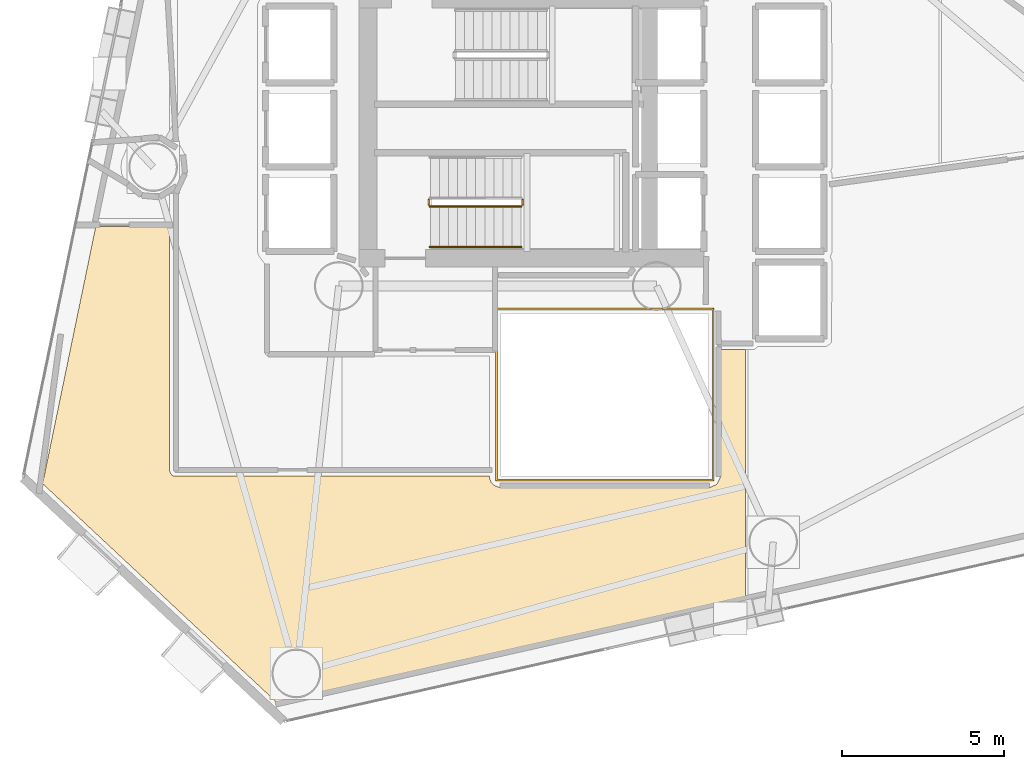
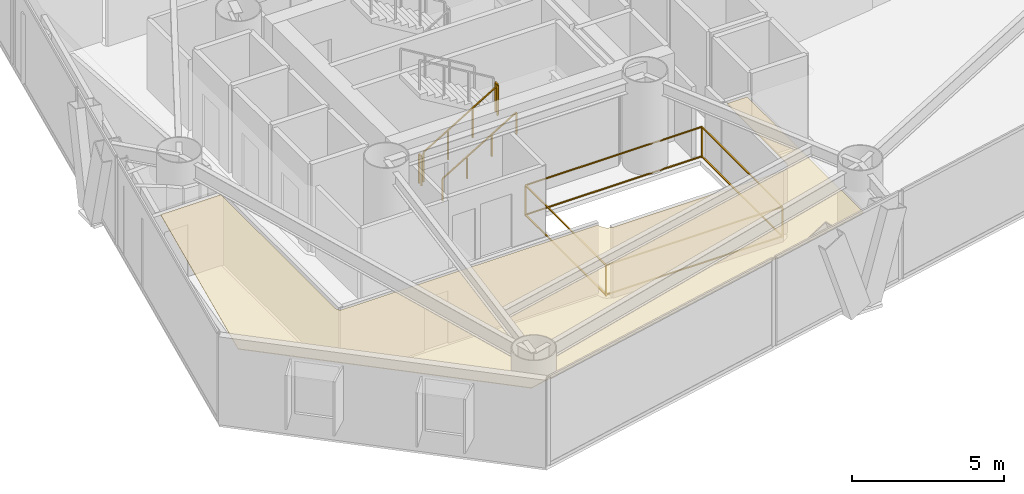
# One storey, part 16 of 18: 5 railings, 1 covering.
"""IFC4 building model written with IfcOpenShell, lengths in metres."""

import ifcopenshell
import ifcopenshell.guid

model = None  # the IFC model being written
_history = None  # IfcOwnerHistory: only IFC2X3 demands one
_inside = {}  # id of a spatial element -> (the spatial element, [elements in it])
_under = {}  # id of a project, library or spatial element -> (it, [spatial elements below it])
_declared = {}  # id of a project -> (the project, [libraries it declares])
_typed = {}  # id of a type object -> (the type object, [elements of that type])
_made_of = {}  # id of a material, layer set ... -> (it, [elements and type objects made of it])


def new_model(schema):
    """Start an empty IFC model of exactly this schema.

    Asked for "IFC4X3", IfcOpenShell would pick the latest addendum, in which some entities
    have other attributes; the version numbers below select the first issue.
    IFC2X3 requires an IfcOwnerHistory on every rooted entity: one is made here for all.
    """
    global model, _history
    if schema == "IFC4X3":
        model = ifcopenshell.file(schema_version=(4, 3, 0, 0))
    else:
        model = ifcopenshell.file(schema=schema)
    _inside.clear()
    _under.clear()
    _declared.clear()
    _typed.clear()
    _made_of.clear()
    _history = None
    if model.schema == "IFC2X3":
        org = make("IfcOrganization", Name="unknown")
        user = make(
            "IfcPersonAndOrganization",
            ThePerson=make("IfcPerson", FamilyName="unknown"),
            TheOrganization=org,
        )
        app = make(
            "IfcApplication",
            ApplicationDeveloper=org,
            Version="unknown",
            ApplicationFullName="unknown",
            ApplicationIdentifier="unknown",
        )
        _history = make(
            "IfcOwnerHistory",
            OwningUser=user,
            OwningApplication=app,
            ChangeAction="ADDED",
            CreationDate=0,
        )
    return model


def make(cls, **values):
    """One entity of the class cls with the attributes given. An attribute that is None is left unset."""
    return model.create_entity(
        cls, **{name: value for name, value in values.items() if value is not None}
    )


def rooted(cls, **values):
    """An entity with a GlobalId (a new one), such as an element, a storey or a relation."""
    return make(cls, GlobalId=ifcopenshell.guid.new(), OwnerHistory=_history, **values)


def si_unit(unit_type, name, prefix=None):
    """IfcSIUnit, for example si_unit("LENGTHUNIT", "METRE", prefix="MILLI")."""
    return make("IfcSIUnit", UnitType=unit_type, Prefix=prefix, Name=name)


def assignment(units):
    """IfcUnitAssignment: the units of a project."""
    return None if units is None else make("IfcUnitAssignment", Units=units)


def point(xyz):
    """IfcCartesianPoint."""
    return None if xyz is None else make("IfcCartesianPoint", Coordinates=xyz)


def direction(xyz):
    """IfcDirection."""
    return None if xyz is None else make("IfcDirection", DirectionRatios=xyz)


def frame(location, z_axis=None, x_axis=None):
    """IfcAxis2Placement3D, a coordinate frame: its origin and axes. An axis left out is left unset."""
    return make(
        "IfcAxis2Placement3D",
        Location=point(location),
        Axis=direction(z_axis),
        RefDirection=direction(x_axis),
    )


def frame_2d(location, x_axis=None):
    """IfcAxis2Placement2D, a coordinate frame in the plane: its origin and x axis."""
    return make(
        "IfcAxis2Placement2D", Location=point(location), RefDirection=direction(x_axis)
    )


def origin():
    """The frame at (0, 0, 0) with its axes left unset."""
    return frame((0.0, 0.0, 0.0))


def origin_2d():
    """The frame at (0, 0) in the plane with its x axis left unset."""
    return frame_2d((0.0, 0.0))


def place(relative_to, where):
    """IfcLocalPlacement: puts the frame where relative to a parent placement (None: the world)."""
    return make(
        "IfcLocalPlacement", PlacementRelTo=relative_to, RelativePlacement=where
    )


def context(
    kind, dimensions, precision=None, world=None, true_north=None, identifier=None
):
    """IfcGeometricRepresentationContext, for example the 3D "Model" context."""
    return make(
        "IfcGeometricRepresentationContext",
        ContextIdentifier=identifier,
        ContextType=kind,
        CoordinateSpaceDimension=dimensions,
        Precision=precision,
        WorldCoordinateSystem=world,
        TrueNorth=true_north,
    )


def subcontext(parent, identifier, kind, view, scale=None):
    """IfcGeometricRepresentationSubContext, for example "Body" below "Model"."""
    return make(
        "IfcGeometricRepresentationSubContext",
        ContextIdentifier=identifier,
        ContextType=kind,
        ParentContext=parent,
        TargetScale=scale,
        TargetView=view,
    )


def project(units=None, contexts=None):
    """IfcProject with its units and contexts."""
    return rooted(
        "IfcProject",
        Name="project",
        RepresentationContexts=contexts,
        UnitsInContext=assignment(units),
    )


def spatial(cls, under=None, at=None, **own):
    """A site, building, storey or space (cls), placed at a placement, below another one or the project."""
    s = rooted(cls, ObjectPlacement=at, **own)
    if under is not None:
        _under.setdefault(under.id(), (under, []))[1].append(s)
    return s


def polyline(points):
    """IfcPolyline through the points."""
    return make("IfcPolyline", Points=[point(p) for p in points])


def profile(cls, at=None, kind="AREA", **sizes):
    """A parametric profile (cls). Its sizes go by their IFC names, for example OverallWidth=200.0."""
    return make(cls, ProfileType=kind, Position=at, **sizes)


def rectangle(**sizes):
    """IfcRectangleProfileDef."""
    return profile("IfcRectangleProfileDef", **sizes)


def outline(outer, holes=None, kind="AREA"):
    """IfcArbitraryClosedProfileDef: a profile drawn as a closed curve; with holes, ...WithVoids."""
    if holes is None:
        return make("IfcArbitraryClosedProfileDef", ProfileType=kind, OuterCurve=outer)
    return make(
        "IfcArbitraryProfileDefWithVoids",
        ProfileType=kind,
        OuterCurve=outer,
        InnerCurves=holes,
    )


def extrude(swept, where, along, depth):
    """IfcExtrudedAreaSolid: the profile swept, set in the frame where, extruded along a direction by depth."""
    return make(
        "IfcExtrudedAreaSolid",
        SweptArea=swept,
        Position=where,
        ExtrudedDirection=direction(along),
        Depth=depth,
    )


def shape(context_of_items, identifier, shape_type, items):
    """IfcShapeRepresentation: the items that make up one representation, for example the "Body"."""
    return make(
        "IfcShapeRepresentation",
        ContextOfItems=context_of_items,
        RepresentationIdentifier=identifier,
        RepresentationType=shape_type,
        Items=items,
    )


def material(Name=None, Category=None):
    """IfcMaterial."""
    return make("IfcMaterial", Name=Name, Category=Category)


def layer(
    of_material, thickness, ventilated=None, Name=None, Category=None, Priority=None
):
    """IfcMaterialLayer: one layer of a wall or slab, of a material (None: an air gap)."""
    return make(
        "IfcMaterialLayer",
        Material=of_material,
        LayerThickness=thickness,
        IsVentilated=ventilated,
        Name=Name,
        Category=Category,
        Priority=Priority,
    )


def layer_set(layers, Name=None):
    """IfcMaterialLayerSet."""
    return make("IfcMaterialLayerSet", MaterialLayers=layers, LayerSetName=Name)


def made_of(thing, what):
    """Note that an element or type object is made of a material, layer set ...; save() writes the relation."""
    if what is not None:
        _made_of.setdefault(what.id(), (what, []))[1].append(thing)
    return thing


def type_object(cls, material=None, **own):
    """A type object (cls), such as IfcWallType, which elements share."""
    return made_of(rooted(cls, **own), material)


def element(
    cls,
    number,
    at=None,
    inside=None,
    cuts=None,
    type_object=None,
    material=None,
    context=None,
    identifier="Body",
    shape_type=None,
    held_by="IfcProductDefinitionShape",
    body=None,
    shapes=None,
    **own,
):
    """One element of the class cls, such as IfcWall. Its Tag is "e" and its number.

    at: its placement. inside: the storey or other place that contains it. cuts: it is an
    opening in that element (IfcRelVoidsElement). A single representation is given by context,
    identifier, shape_type and body (its items); several are given by shapes. held_by: the class
    of the entity that holds the representations. save() writes the other relations.
    """
    e = rooted(cls, Tag="e%d" % number, ObjectPlacement=at, **own)
    if body is not None:
        shapes = [shape(context, identifier, shape_type, body)]
    if shapes is not None:
        e.Representation = make(held_by, Representations=shapes)
    if inside is not None:
        _inside.setdefault(inside.id(), (inside, []))[1].append(e)
    if cuts is not None:
        rooted(
            "IfcRelVoidsElement", RelatingBuildingElement=cuts, RelatedOpeningElement=e
        )
    if type_object is not None:
        _typed.setdefault(type_object.id(), (type_object, []))[1].append(e)
    return made_of(e, material)


def aggregate(whole, parts):
    """IfcRelAggregates: a whole, such as a stair, and the parts it consists of."""
    return rooted("IfcRelAggregates", RelatingObject=whole, RelatedObjects=parts)


def save(model, path):
    """Write the relations noted so far, then the file.

    IfcRelAggregates (storeys below a building ...), IfcRelContainedInSpatialStructure (elements
    in a storey), IfcRelDefinesByType, IfcRelAssociatesMaterial and IfcRelDeclares: one each for
    every whole, place, type object, material and project.
    """
    for whole, parts in _under.values():
        aggregate(whole, parts)
    for where, things in _inside.values():
        rooted(
            "IfcRelContainedInSpatialStructure",
            RelatedElements=things,
            RelatingStructure=where,
        )
    for kind, things in _typed.values():
        rooted("IfcRelDefinesByType", RelatedObjects=things, RelatingType=kind)
    for what, things in _made_of.values():
        rooted("IfcRelAssociatesMaterial", RelatedObjects=things, RelatingMaterial=what)
    for by, libraries in _declared.values():
        rooted("IfcRelDeclares", RelatingContext=by, RelatedDefinitions=libraries)
    model.write(path)


model = new_model("IFC4")

# Units and contexts
model_context = context("Model", 3, precision=1e-05, world=origin(), true_north=direction((0.0, 1.0)))
body_context = subcontext(model_context, "Body", "Model", "MODEL_VIEW")
ifc_project = project(units=[si_unit("LENGTHUNIT", "METRE"), si_unit("AREAUNIT", "SQUARE_METRE"), si_unit("VOLUMEUNIT", "CUBIC_METRE"), si_unit("PLANEANGLEUNIT", "RADIAN"), si_unit("MASSUNIT", "GRAM", prefix="KILO")], contexts=[model_context])

# Site, building, storey
site_placement = place(None, origin())
site = spatial("IfcSite", under=ifc_project, at=site_placement, CompositionType="ELEMENT")
building_placement = place(site_placement, origin())
building = spatial("IfcBuilding", under=site, at=building_placement, Name="Qianvela Tower", CompositionType="ELEMENT")
storey_placement = place(building_placement, frame((0.0, 0.0, 97.800048828125)))
storey = spatial("IfcBuildingStorey", under=building, at=storey_placement, Name="L24", CompositionType="ELEMENT", Elevation=97.800048828125)

# Covering
ifc_material_1 = material(Name="Perforated Mineral Acoustic Ceiling Tile")
ifc_layer = layer(ifc_material_1, 0.02490234375)
ifc_layer_set = layer_set([ifc_layer], Name="Perforated Mineral Acoustic Ceiling Tile")
covering_type = type_object("IfcCoveringType", Name="COV-CEIL-ACOUSTIC-25", PredefinedType="CEILING", material=ifc_layer_set)
covering_placement = place(storey_placement, frame((0.0, 0.0, 2.81494140625)))
element("IfcCovering", 1, at=covering_placement, inside=storey, type_object=covering_type, Name="L24 Acoustic Ceiling Bay 1 Shared Communal Kitchen L24-01", PredefinedType="CEILING", context=body_context, shape_type="SweptSolid", body=[
    extrude(outline(polyline([(26.683837890625, 11.017578125), (19.4716796875, 17.758544921875), (21.110107421875, 25.684326171875), (23.389892578125, 25.684326171875), (23.389892578125, 18.14990234375), (23.390380859375, 18.14208984375), (23.3916015625, 18.134521484375), (23.393310546875, 18.126708984375), (23.39599609375, 18.119384765625), (23.3994140625, 18.1123046875), (23.403564453125, 18.105712890625), (23.452880859375, 18.031494140625), (23.45751953125, 18.025390625), (23.462890625, 18.01953125), (23.468505859375, 18.014404296875), (23.474853515625, 18.009521484375), (23.481689453125, 18.005615234375), (23.48876953125, 18.002197265625), (23.49609375, 17.99951171875), (23.503662109375, 17.99755859375), (23.511474609375, 17.99658203125), (23.519287109375, 17.99609375), (33.243408203125, 17.989990234375), (33.24560546875, 17.94189453125), (33.24609375, 17.93505859375), (33.247314453125, 17.927978515625), (33.2490234375, 17.92138671875), (33.25146484375, 17.914794921875), (33.293212890625, 17.813720703125), (33.296630859375, 17.806640625), (33.30078125, 17.800048828125), (33.305419921875, 17.793701171875), (33.310546875, 17.787841796875), (33.387939453125, 17.710693359375), (33.39306640625, 17.705810546875), (33.398681640625, 17.70166015625), (33.40478515625, 17.69775390625), (33.410888671875, 17.694580078125), (33.41748046875, 17.69189453125), (33.545654296875, 17.64599609375), (33.554443359375, 17.643310546875), (33.5634765625, 17.641845703125), (33.572509765625, 17.641357421875), (40.02734375, 17.641357421875), (40.036376953125, 17.641845703125), (40.044921875, 17.643310546875), (40.053466796875, 17.645751953125), (40.0615234375, 17.64892578125), (40.232177734375, 17.729736328125), (40.239013671875, 17.7333984375), (40.24560546875, 17.73779296875), (40.251708984375, 17.74267578125), (40.25732421875, 17.748291015625), (40.26220703125, 17.75439453125), (40.2666015625, 17.760986328125), (40.270263671875, 17.767822265625), (40.35107421875, 17.9384765625), (40.354248046875, 17.946533203125), (40.356689453125, 17.955078125), (40.358154296875, 17.963623046875), (40.358642578125, 17.972412109375), (40.360107421875, 21.889892578125), (41.135009765625, 21.890380859375), (41.135009765625, 14.26708984375), (26.683837890625, 11.017578125)])), origin(), (0.0, 0.0, 1.0), 0.02490234375),
])

# Railings
ifc_material_2 = material(Name="Laminated Safety Glass and Stainless Steel 316", Category="steel")
railing_type_1 = type_object("IfcRailingType", Name="RL-ATRIUM-GUARD-1250", PredefinedType="GUARDRAIL", material=ifc_material_2)
railing_1_placement = place(storey_placement, frame((33.4599609375, 17.860107421875, 0.0)))
element("IfcRailing", 2, at=railing_1_placement, inside=storey, type_object=railing_type_1, Name="L24 Atrium Edge Guardrail 1", PredefinedType="GUARDRAIL", context=body_context, shape_type="SweptSolid", body=[
    extrude(rectangle(XDim=0.050048828125, YDim=0.0400390625, at=origin_2d()), frame((0.0, 0.0, 1.22998046875), z_axis=(0.0, 1.0, 0.0), x_axis=(-1.0, 0.0, 0.0)), (0.0, 0.0, 1.0), 5.27978515625),
    extrude(rectangle(XDim=0.050048828125, YDim=0.0400390625, at=origin_2d()), frame((0.0, 0.0, 0.050048828125), z_axis=(0.0, 1.0, 0.0), x_axis=(-1.0, 0.0, 0.0)), (0.0, 0.0, 1.0), 5.27978515625),
    extrude(rectangle(XDim=0.050048828125, YDim=0.0400390625, at=origin_2d()), frame((0.0, 5.27978515625, 1.22998046875), z_axis=(1.0, 0.0, 0.0), x_axis=(0.0, 1.0, 0.0)), (0.0, 0.0, 1.0), 6.679931640625),
    extrude(rectangle(XDim=0.050048828125, YDim=0.0400390625, at=origin_2d()), frame((0.0, 5.27978515625, 0.050048828125), z_axis=(1.0, 0.0, 0.0), x_axis=(0.0, 1.0, 0.0)), (0.0, 0.0, 1.0), 6.679931640625),
    extrude(rectangle(XDim=0.050048828125, YDim=0.0400390625, at=origin_2d()), frame((6.679931640625, 5.27978515625, 1.22998046875), z_axis=(0.0, -1.0, 0.0), x_axis=(1.0, 0.0, 0.0)), (0.0, 0.0, 1.0), 5.27978515625),
    extrude(rectangle(XDim=0.050048828125, YDim=0.0400390625, at=origin_2d()), frame((6.679931640625, 5.27978515625, 0.050048828125), z_axis=(0.0, -1.0, 0.0), x_axis=(1.0, 0.0, 0.0)), (0.0, 0.0, 1.0), 5.27978515625),
    extrude(rectangle(XDim=0.050048828125, YDim=0.0400390625, at=origin_2d()), frame((6.679931640625, 0.0, 1.22998046875), z_axis=(-1.0, 0.0, 0.0), x_axis=(0.0, -1.0, 0.0)), (0.0, 0.0, 1.0), 6.679931640625),
    extrude(rectangle(XDim=0.050048828125, YDim=0.0400390625, at=origin_2d()), frame((6.679931640625, 0.0, 0.050048828125), z_axis=(-1.0, 0.0, 0.0), x_axis=(0.0, -1.0, 0.0)), (0.0, 0.0, 1.0), 6.679931640625),
    extrude(rectangle(XDim=0.050048828125, YDim=0.050048828125, at=origin_2d()), origin(), (0.0, 0.0, 1.0), 1.2099609375),
    extrude(rectangle(XDim=0.050048828125, YDim=0.050048828125, at=origin_2d()), frame((0.0, 5.27978515625, 0.0)), (0.0, 0.0, 1.0), 1.2099609375),
    extrude(rectangle(XDim=0.050048828125, YDim=0.050048828125, at=origin_2d()), frame((6.679931640625, 5.27978515625, 0.0)), (0.0, 0.0, 1.0), 1.2099609375),
    extrude(rectangle(XDim=0.050048828125, YDim=0.050048828125, at=origin_2d()), frame((6.679931640625, 0.0, 0.0)), (0.0, 0.0, 1.0), 1.2099609375),
])
ifc_material_3 = material(Name="Painted Tubular Steel Q355B", Category="steel")
railing_type_2 = type_object("IfcRailingType", Name="RL-STAIR-GUARD-1200", PredefinedType="GUARDRAIL", material=ifc_material_3)
railing_2_placement = place(storey_placement, frame((31.419921875, 26.300048828125, 0.168212890625)))
element("IfcRailing", 3, at=railing_2_placement, inside=storey, type_object=railing_type_2, Name="L24 ST-2 stair guard 1", PredefinedType="GUARDRAIL", context=body_context, shape_type="SweptSolid", body=[
    extrude(rectangle(XDim=0.050048828125, YDim=0.0400390625, at=origin_2d()), frame((0.0, 0.0, 1.179931640625), z_axis=(0.857275202839, 0.0, 0.514858452973), x_axis=(0.0, 1.0, 0.0)), (0.0, 0.0, 1.0), 3.26611328125),
    extrude(rectangle(XDim=0.050048828125, YDim=0.050048828125, at=origin_2d()), origin(), (0.0, 0.0, 1.0), 1.159912109375),
    extrude(rectangle(XDim=0.050048828125, YDim=0.050048828125, at=origin_2d()), frame((0.933349609375, 0.0, 0.560546875)), (0.0, 0.0, 1.0), 1.159912109375),
    extrude(rectangle(XDim=0.050048828125, YDim=0.050048828125, at=origin_2d()), frame((1.86669921875, 0.0, 1.12109375)), (0.0, 0.0, 1.0), 1.159912109375),
    extrude(rectangle(XDim=0.050048828125, YDim=0.050048828125, at=origin_2d()), frame((2.800048828125, 0.0, 1.681640625)), (0.0, 0.0, 1.0), 1.159912109375),
])
for number, where, name in (
    (4, (34.27001953125, 26.35009765625, 1.849853515625), "L24 ST-2 stair guard 2"),
    (5, (31.3701171875, 26.35009765625, 0.0), "L24 ST-2 stair guard 4"),
):
    element("IfcRailing", number, at=place(storey_placement, frame(where)), inside=storey, type_object=railing_type_2, Name=name, PredefinedType="GUARDRAIL", context=body_context, shape_type="SweptSolid", body=[
        extrude(rectangle(XDim=0.050048828125, YDim=0.0400390625, at=origin_2d()), frame((0.0, 0.0, 1.179931640625), z_axis=(0.0, 1.0, 0.0), x_axis=(-1.0, 0.0, 0.0)), (0.0, 0.0, 1.0), 0.159912109375),
        extrude(rectangle(XDim=0.050048828125, YDim=0.050048828125, at=origin_2d()), origin(), (0.0, 0.0, 1.0), 1.159912109375),
        extrude(rectangle(XDim=0.050048828125, YDim=0.050048828125, at=origin_2d()), frame((0.0, 0.159912109375, 0.0)), (0.0, 0.0, 1.0), 1.159912109375),
    ])
ifc_material_4 = material(Name="Brushed Stainless Steel 304", Category="steel")
railing_type_3 = type_object("IfcRailingType", Name="RL-STAIR-HANDRAIL-900", PredefinedType="HANDRAIL", material=ifc_material_4)
railing_3_placement = place(storey_placement, frame((31.419921875, 25.050048828125, 0.168212890625)))
element("IfcRailing", 6, at=railing_3_placement, inside=storey, type_object=railing_type_3, Name="L24 ST-2 stair handrail 1", PredefinedType="HANDRAIL", context=body_context, shape_type="SweptSolid", body=[
    extrude(rectangle(XDim=0.050048828125, YDim=0.0400390625, at=origin_2d()), frame((0.0, 0.0, 0.8798828125), z_axis=(0.857275202839, 0.0, 0.514858452973), x_axis=(0.0, 1.0, 0.0)), (0.0, 0.0, 1.0), 3.26611328125),
    extrude(rectangle(XDim=0.050048828125, YDim=0.050048828125, at=origin_2d()), origin(), (0.0, 0.0, 1.0), 0.85986328125),
    extrude(rectangle(XDim=0.050048828125, YDim=0.050048828125, at=origin_2d()), frame((0.933349609375, 0.0, 0.560546875)), (0.0, 0.0, 1.0), 0.85986328125),
    extrude(rectangle(XDim=0.050048828125, YDim=0.050048828125, at=origin_2d()), frame((1.86669921875, 0.0, 1.12109375)), (0.0, 0.0, 1.0), 0.85986328125),
    extrude(rectangle(XDim=0.050048828125, YDim=0.050048828125, at=origin_2d()), frame((2.800048828125, 0.0, 1.681640625)), (0.0, 0.0, 1.0), 0.85986328125),
])

save(model, "model.ifc")
